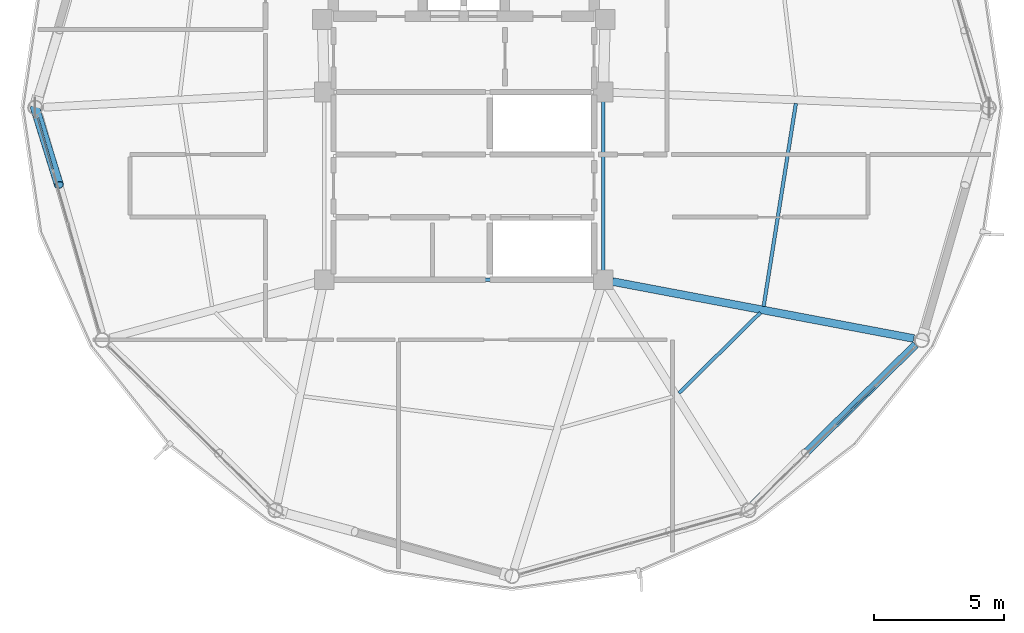
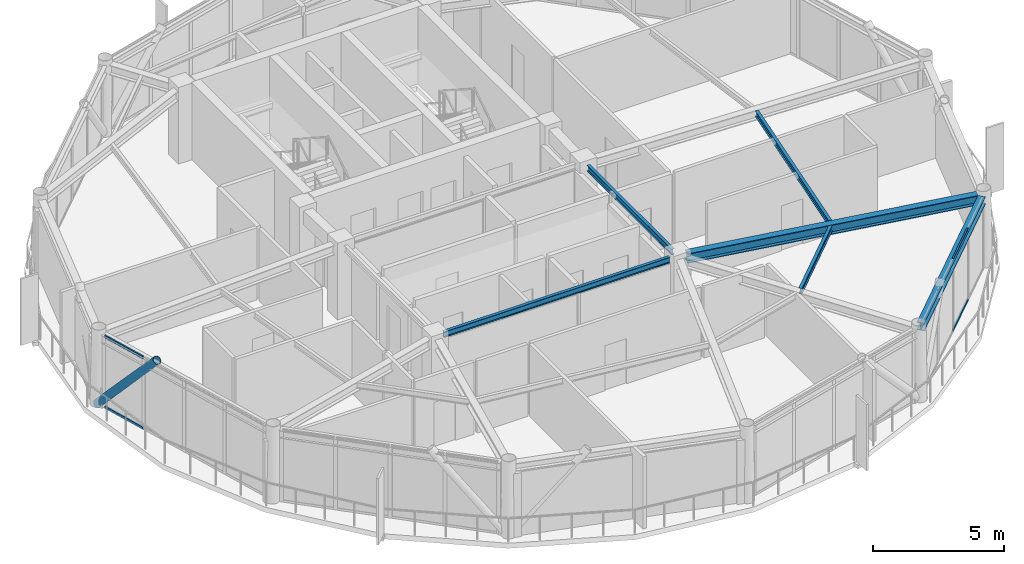
# One storey, part 9 of 25: 6 beams, 5 members, 2 elements without a shape of their own.
"""IFC4 building model written with IfcOpenShell, lengths in metres."""

from ifc_helpers import new_model, si_unit, direction, frame, origin, origin_2d, place, context, subcontext, project, spatial, hollow_rectangle, hollow_circle, i_section, extrude, material, layer, layer_set, material_profile, profile_set, type_object, element, aggregate, save


model = new_model("IFC4")

# Units and contexts
model_context = context("Model", 3, precision=1e-05, world=origin(), true_north=direction((0.0, 1.0)))
body_context = subcontext(model_context, "Body", "Model", "MODEL_VIEW")
ifc_project = project(units=[si_unit("LENGTHUNIT", "METRE"), si_unit("AREAUNIT", "SQUARE_METRE"), si_unit("VOLUMEUNIT", "CUBIC_METRE"), si_unit("PLANEANGLEUNIT", "RADIAN"), si_unit("MASSUNIT", "GRAM", prefix="KILO")], contexts=[model_context])

# Site, building, storey
site_placement = place(None, origin())
site = spatial("IfcSite", under=ifc_project, at=site_placement, CompositionType="ELEMENT")
building_placement = place(site_placement, origin())
building = spatial("IfcBuilding", under=site, at=building_placement, Name="Varnakorn Sky Granary", CompositionType="ELEMENT")
storey_placement = place(building_placement, frame((0.0, 0.0, 259.800048828125)))
storey = spatial("IfcBuildingStorey", under=building, at=storey_placement, Name="L66", CompositionType="ELEMENT", Elevation=259.800048828125)

# Beams
ifc_material_1 = material(Name="Steel S355JR", Category="steel")
ifc_material_profile_1 = material_profile(ifc_material_1, i_section(OverallWidth=0.300048828125, OverallDepth=0.449951171875, WebThickness=0.013916015625, FlangeThickness=0.02587890625, at=origin_2d()), Name="HE 450 B")
ifc_profile_set_1 = profile_set([ifc_material_profile_1], Name="Steel S355JR")
beam_type_1 = type_object("IfcBeamType", Name="BM-RAD-Z5", PredefinedType="BEAM", material=ifc_profile_set_1)
beam_1_placement = place(storey_placement, frame((8.69873046875, -6.666015625, 3.135009765625), z_axis=(0.982580286147, -0.185838589304, 0.0), x_axis=(0.185838589304, 0.982580286147, 0.0)))
element("IfcBeam", 1, at=beam_1_placement, inside=storey, type_object=beam_type_1, Name="Radial Floor Girder RG12 L66", PredefinedType="BEAM", context=body_context, shape_type="SweptSolid", body=[
    extrude(i_section(OverallWidth=0.300048828125, OverallDepth=0.449951171875, WebThickness=0.013916015625, FlangeThickness=0.02587890625, at=origin_2d()), origin(), (0.0, 0.0, 1.0), 11.76171875),
])
ifc_material_profile_2 = material_profile(ifc_material_1, i_section(OverallWidth=0.135009765625, OverallDepth=0.27001953125, WebThickness=0.006591796875, FlangeThickness=0.01025390625, at=origin_2d()), Name="IPE 270")
ifc_profile_set_2 = profile_set([ifc_material_profile_2], Name="Steel S355JR")
beam_type_2 = type_object("IfcBeamType", Name="BM-SEC-Z5", PredefinedType="BEAM", material=ifc_profile_set_2)
beam_2_placement = place(storey_placement, frame((11.24609375, -10.948486328125, 3.224853515625), z_axis=(0.711696980852, 0.702486588802, 0.0), x_axis=(-0.702486588802, 0.711696980852, 0.0)))
element("IfcBeam", 2, at=beam_2_placement, inside=storey, type_object=beam_type_2, Name="Secondary Floor Chord Beam MSB11 L66", PredefinedType="BEAM", context=body_context, shape_type="SweptSolid", body=[
    extrude(i_section(OverallWidth=0.135009765625, OverallDepth=0.27001953125, WebThickness=0.006591796875, FlangeThickness=0.01025390625, at=origin_2d()), origin(), (0.0, 0.0, 1.0), 4.400146484375),
])
beam_3_placement = place(storey_placement, frame((14.499267578125, -7.62060546875, 3.224853515625), z_axis=(0.156871183394, 0.987619072224, 0.0), x_axis=(-0.987619072224, 0.156871183394, 0.0)))
element("IfcBeam", 3, at=beam_3_placement, inside=storey, type_object=beam_type_2, Name="Secondary Floor Chord Beam MSB12 L66", PredefinedType="BEAM", context=body_context, shape_type="SweptSolid", body=[
    extrude(i_section(OverallWidth=0.135009765625, OverallDepth=0.27001953125, WebThickness=0.006591796875, FlangeThickness=0.01025390625, at=origin_2d()), origin(), (0.0, 0.0, 1.0), 7.878173828125),
])
beam_4_placement = place(storey_placement, frame((8.35009765625, 0.2451171875, 3.224853515625), z_axis=(0.0, -1.0, 0.0), x_axis=(1.0, 0.0, 0.0)))
element("IfcBeam", 4, at=beam_4_placement, inside=storey, type_object=beam_type_2, Name="Core Spine Framing Beam 4 L66", PredefinedType="BEAM", context=body_context, shape_type="SweptSolid", body=[
    extrude(i_section(OverallWidth=0.135009765625, OverallDepth=0.27001953125, WebThickness=0.006591796875, FlangeThickness=0.01025390625, at=origin_2d()), origin(), (0.0, 0.0, 1.0), 6.490234375),
])
beam_5_placement = place(storey_placement, frame((-1.9951171875, -6.60009765625, 3.224853515625), z_axis=(1.0, 0.0, 0.0), x_axis=(0.0, 1.0, 0.0)))
element("IfcBeam", 5, at=beam_5_placement, inside=storey, type_object=beam_type_2, Name="Core Spine Framing Beam 6 L66", PredefinedType="BEAM", context=body_context, shape_type="SweptSolid", body=[
    extrude(i_section(OverallWidth=0.135009765625, OverallDepth=0.27001953125, WebThickness=0.006591796875, FlangeThickness=0.01025390625, at=origin_2d()), origin(), (0.0, 0.0, 1.0), 9.990234375),
])
ifc_material_profile_3 = material_profile(ifc_material_1, i_section(OverallWidth=0.300048828125, OverallDepth=0.360107421875, WebThickness=0.012451171875, FlangeThickness=0.0224609375, at=origin_2d()), Name="HE 360 B")
ifc_profile_set_3 = profile_set([ifc_material_profile_3], Name="Steel S355JR")
beam_type_3 = type_object("IfcBeamType", Name="BM-SPD-Z5", PredefinedType="SPANDREL", material=ifc_profile_set_3)
beam_6_placement = place(storey_placement, frame((14.0830078125, -15.2314453125, 3.179931640625), z_axis=(0.712727559125, 0.701440964347, 0.0), x_axis=(-0.701440964347, 0.712727559125, 0.0)))
element("IfcBeam", 6, at=beam_6_placement, inside=storey, type_object=beam_type_3, Name="Perimeter Spandrel Ring Beam RB11 L66", PredefinedType="SPANDREL", context=body_context, shape_type="SweptSolid", body=[
    extrude(i_section(OverallWidth=0.300048828125, OverallDepth=0.360107421875, WebThickness=0.012451171875, FlangeThickness=0.0224609375, at=origin_2d()), origin(), (0.0, 0.0, 1.0), 8.760498046875),
])

# Curtain wall, members
ifc_material_2 = material(Name="Anodised Bronze Aluminium Alloy 6063-T6", Category="aluminium")
ifc_layer = layer(ifc_material_2, 0.159912109375, Name="Anodised Bronze Aluminium Alloy 6063-T6")
ifc_layer_set = layer_set([ifc_layer], Name="Anodised Bronze Aluminium Alloy 6063-T6")
curtain_wall_type = type_object("IfcCurtainWallType", Name="CW-OFF-1", PredefinedType="USERDEFINED", material=ifc_layer_set)
curtain_wall_1_placement = place(storey_placement, origin())
curtain_wall_1 = element("IfcCurtainWall", 7, at=curtain_wall_1_placement, inside=storey, type_object=curtain_wall_type, Name="Unitised Curtain Wall CW6 CW-L66-B07", ObjectType="CURTAIN WALL", PredefinedType="USERDEFINED")
ifc_material_profile_4 = material_profile(ifc_material_2, hollow_rectangle(XDim=0.06494140625, YDim=0.1201171875, WallThickness=0.00341796875, at=origin_2d()), Name="ALU TRAN 65x120")
ifc_profile_set_4 = profile_set([ifc_material_profile_4], Name="Anodised Bronze Aluminium Alloy 6063-T6")
member_type_1 = type_object("IfcMemberType", Name="CW-OFF-1-TRAN", PredefinedType="USERDEFINED", material=ifc_profile_set_4)
member_1_placement = place(storey_placement, frame((-12.76220703125, -2.361328125, 0.032470703125), z_axis=(-0.276636966112, 0.960974499651, 0.0), x_axis=(-0.960974499651, -0.276636966112, 0.0)))
member_1 = element("IfcMember", 8, at=member_1_placement, type_object=member_type_1, Name="CW6 transom 4.1", ObjectType="TRANSOM", PredefinedType="USERDEFINED", context=body_context, shape_type="SweptSolid", body=[
    extrude(hollow_rectangle(XDim=0.06494140625, YDim=0.1201171875, WallThickness=0.00341796875, at=origin_2d()), origin(), (0.0, 0.0, 1.0), 2.052734375),
])
member_2_placement = place(storey_placement, frame((-12.76220703125, -2.361328125, 3.327392578125), z_axis=(-0.276636966112, 0.960974499651, 0.0), x_axis=(-0.960974499651, -0.276636966112, 0.0)))
member_2 = element("IfcMember", 9, at=member_2_placement, type_object=member_type_1, Name="CW6 transom 4.2", ObjectType="TRANSOM", PredefinedType="USERDEFINED", context=body_context, shape_type="SweptSolid", body=[
    extrude(hollow_rectangle(XDim=0.06494140625, YDim=0.1201171875, WallThickness=0.00341796875, at=origin_2d()), origin(), (0.0, 0.0, 1.0), 2.052734375),
])
aggregate(curtain_wall_1, [member_1, member_2])

curtain_wall_2_placement = place(storey_placement, origin())
curtain_wall_2 = element("IfcCurtainWall", 10, at=curtain_wall_2_placement, inside=storey, type_object=curtain_wall_type, Name="Unitised Curtain Wall CW6 CW-L66-B11", ObjectType="CURTAIN WALL", PredefinedType="USERDEFINED")
member_3_placement = place(storey_placement, frame((18.7685546875, -10.69189453125, 0.032470703125), z_axis=(-0.713374263044, -0.700783248106, 0.0), x_axis=(0.700783248106, -0.713374263044, 0.0)))
member_3 = element("IfcMember", 11, at=member_3_placement, type_object=member_type_1, Name="CW6 transom 2.1", ObjectType="TRANSOM", PredefinedType="USERDEFINED", context=body_context, shape_type="SweptSolid", body=[
    extrude(hollow_rectangle(XDim=0.06494140625, YDim=0.1201171875, WallThickness=0.00341796875, at=origin_2d()), origin(), (0.0, 0.0, 1.0), 2.09423828125),
])
member_4_placement = place(storey_placement, frame((18.7685546875, -10.69189453125, 3.327392578125), z_axis=(-0.713374263044, -0.700783248106, 0.0), x_axis=(0.700783248106, -0.713374263044, 0.0)))
member_4 = element("IfcMember", 12, at=member_4_placement, type_object=member_type_1, Name="CW6 transom 2.2", ObjectType="TRANSOM", PredefinedType="USERDEFINED", context=body_context, shape_type="SweptSolid", body=[
    extrude(hollow_rectangle(XDim=0.06494140625, YDim=0.1201171875, WallThickness=0.00341796875, at=origin_2d()), origin(), (0.0, 0.0, 1.0), 2.09423828125),
])
aggregate(curtain_wall_2, [member_3, member_4])

# Member
ifc_material_3 = material(Name="Steel S460M", Category="steel")
ifc_material_profile_5 = material_profile(ifc_material_3, hollow_circle(Radius=0.177734375, WallThickness=0.01416015625, at=origin_2d()), Name="CHS 355.6x14")
ifc_profile_set_5 = profile_set([ifc_material_profile_5], Name="Steel S460M")
member_type_2 = type_object("IfcMemberType", Name="MB-DIAG-T5", PredefinedType="BRACE", material=ifc_profile_set_5)
member_5_placement = place(storey_placement, frame((-13.44189453125, 0.0, 0.0), z_axis=(0.197042578639, -0.635019479768, 0.746943426585), x_axis=(0.955077944049, 0.296354721222, 0.0)))
element("IfcMember", 13, at=member_5_placement, inside=storey, type_object=member_type_2, Name="Perimeter CHS Diagrid Brace DG07 L66", PredefinedType="BRACE", context=body_context, shape_type="SweptSolid", body=[
    extrude(hollow_circle(Radius=0.177734375, WallThickness=0.01416015625, at=origin_2d()), origin(), (0.0, 0.0, 1.0), 4.67236328125),
])

save(model, "model.ifc")
